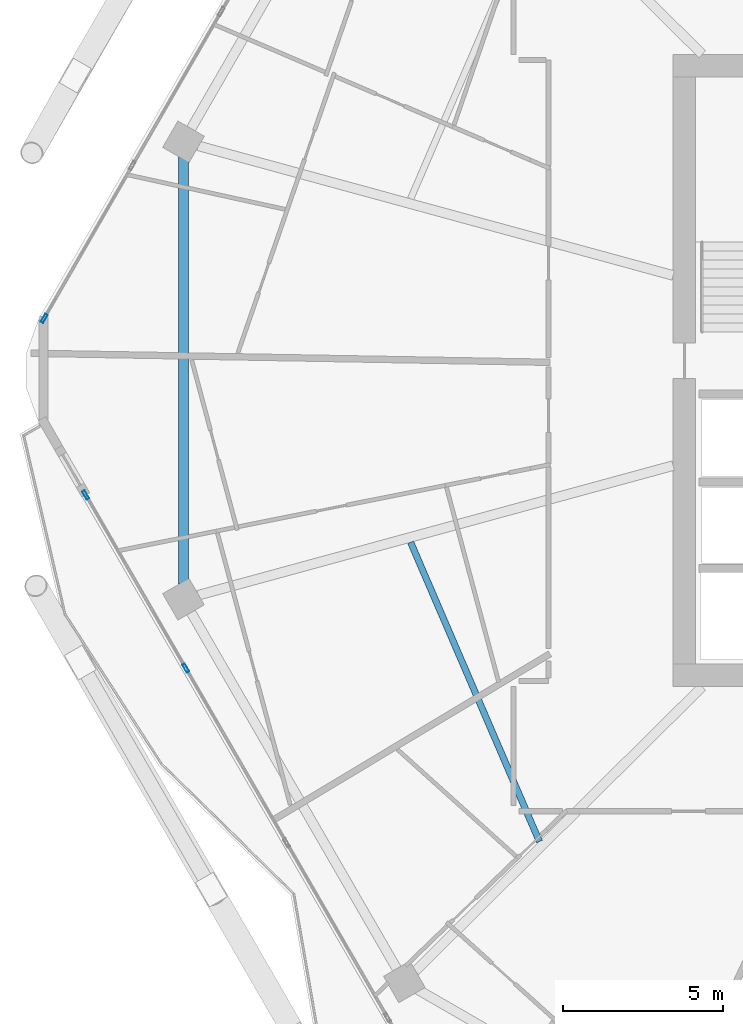
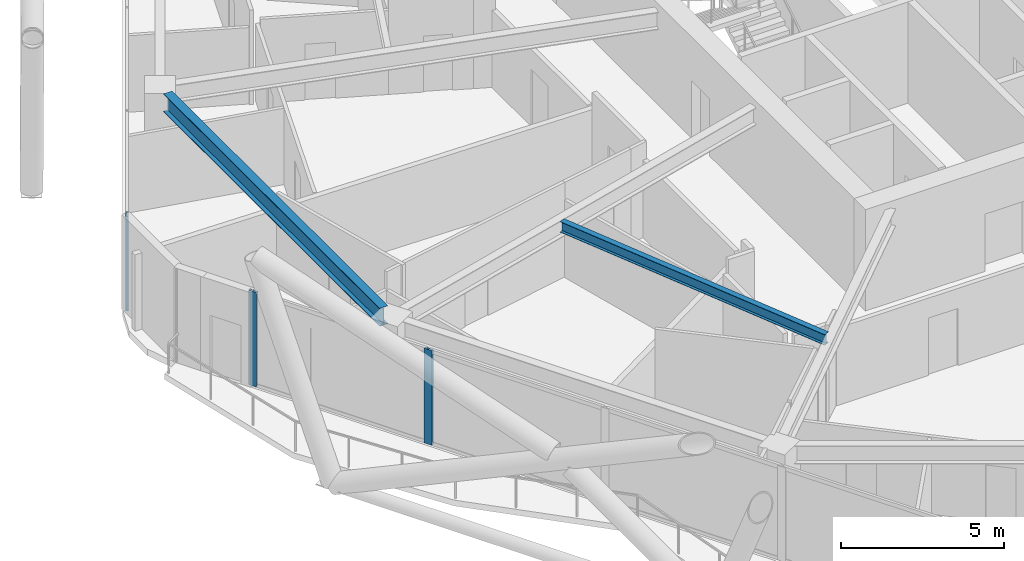
# One storey, part 5 of 27: 3 members, 2 beams, 2 elements without a shape of their own.
"""IFC4 building model written with IfcOpenShell, lengths in metres."""

from ifc_helpers import new_model, si_unit, direction, frame, origin, origin_2d, place, context, subcontext, project, spatial, hollow_rectangle, i_section, extrude, material, material_profile, profile_set, type_object, element, aggregate, save


model = new_model("IFC4")

# Units and contexts
model_context = context("Model", 3, precision=1e-05, world=origin(), true_north=direction((0.0, 1.0)))
body_context = subcontext(model_context, "Body", "Model", "MODEL_VIEW")
ifc_project = project(units=[si_unit("LENGTHUNIT", "METRE"), si_unit("AREAUNIT", "SQUARE_METRE"), si_unit("VOLUMEUNIT", "CUBIC_METRE"), si_unit("PLANEANGLEUNIT", "RADIAN"), si_unit("MASSUNIT", "GRAM", prefix="KILO")], contexts=[model_context])

# Site, building, storey
site_placement = place(None, origin())
site = spatial("IfcSite", under=ifc_project, at=site_placement, CompositionType="ELEMENT")
building_placement = place(site_placement, origin())
building = spatial("IfcBuilding", under=site, at=building_placement, Name="Zuhravey Tower", CompositionType="ELEMENT")
storey_placement = place(building_placement, frame((0.0, 0.0, 215.0)))
storey = spatial("IfcBuildingStorey", under=building, at=storey_placement, Name="L54", CompositionType="ELEMENT", Elevation=215.0)

# Curtain wall, members
ifc_material_1 = material(Name="Thermally broken anodised aluminium", Category="aluminium")
curtain_wall_type = type_object("IfcCurtainWallType", Name="Zone 1-2 Residential Curtain Wall CW3", PredefinedType="NOTDEFINED", material=ifc_material_1)
curtain_wall_1_placement = place(storey_placement, origin())
curtain_wall_1 = element("IfcCurtainWall", 1, at=curtain_wall_1_placement, inside=storey, type_object=curtain_wall_type, Name="L54 CW3 CW-L54-F4-1", PredefinedType="NOTDEFINED")
ifc_material_2 = material(Name="Anodised aluminium", Category="aluminium")
ifc_material_profile_1 = material_profile(ifc_material_2, hollow_rectangle(XDim=0.090087890625, YDim=0.284912109375, WallThickness=0.0048828125, at=origin_2d()), Name="ALU-RHS-90x285x5")
ifc_profile_set_1 = profile_set([ifc_material_profile_1], Name="Anodised aluminium")
member_type = type_object("IfcMemberType", Name="Curtain-Wall Mullion 90x180", PredefinedType="MULLION", material=ifc_profile_set_1)
member_1_placement = place(storey_placement, frame((9.966064453125, 22.725830078125, 0.0), z_axis=(0.0, 0.0, 1.0), x_axis=(-0.866024349586, -0.50000182592, 0.0)))
member_1 = element("IfcMember", 2, at=member_1_placement, type_object=member_type, Name="CW3 mullion 4", PredefinedType="MULLION", context=body_context, shape_type="SweptSolid", body=[
    extrude(hollow_rectangle(XDim=0.090087890625, YDim=0.284912109375, WallThickness=0.0048828125, at=origin_2d()), origin(), (0.0, 0.0, 1.0), 3.550048828125),
])
member_2_placement = place(storey_placement, frame((6.847412109375, 28.12744140625, 0.0), z_axis=(0.0, 0.0, 1.0), x_axis=(-0.866024349586, -0.50000182592, 0.0)))
member_2 = element("IfcMember", 3, at=member_2_placement, type_object=member_type, Name="CW3 mullion 5", PredefinedType="MULLION", context=body_context, shape_type="SweptSolid", body=[
    extrude(hollow_rectangle(XDim=0.090087890625, YDim=0.284912109375, WallThickness=0.0048828125, at=origin_2d()), origin(), (0.0, 0.0, 1.0), 3.550048828125),
])
aggregate(curtain_wall_1, [member_1, member_2])

# Curtain wall, member
curtain_wall_2_placement = place(storey_placement, origin())
curtain_wall_2 = element("IfcCurtainWall", 4, at=curtain_wall_2_placement, inside=storey, type_object=curtain_wall_type, Name="L54 CW3 CW-L54-F3-1", PredefinedType="NOTDEFINED")
member_3_placement = place(storey_placement, frame((5.55078125, 33.62646484375, 0.0), z_axis=(0.0, 0.0, 1.0), x_axis=(-0.866025138215, 0.500000459979, 0.0)))
member_3 = element("IfcMember", 5, at=member_3_placement, type_object=member_type, Name="CW3 mullion 1", PredefinedType="MULLION", context=body_context, shape_type="SweptSolid", body=[
    extrude(hollow_rectangle(XDim=0.090087890625, YDim=0.284912109375, WallThickness=0.0048828125, at=origin_2d()), origin(), (0.0, 0.0, 1.0), 3.550048828125),
])
aggregate(curtain_wall_2, [member_3])

# Beams
ifc_material_3 = material(Name="Steel SM355", Category="steel")
ifc_material_profile_2 = material_profile(ifc_material_3, i_section(OverallWidth=0.300048828125, OverallDepth=0.679931640625, WebThickness=0.012939453125, FlangeThickness=0.02197265625, at=origin_2d()), Name="H-680x300x13x22")
ifc_profile_set_2 = profile_set([ifc_material_profile_2], Name="Steel SM355")
beam_type_1 = type_object("IfcBeamType", Name="Perimeter Ring Beam H680x300", PredefinedType="BEAM", material=ifc_profile_set_2)
beam_1_placement = place(storey_placement, frame((9.892333984375, 38.6484375, 3.2099609375), z_axis=(0.0, -1.0, 0.0), x_axis=(1.0, 0.0, 0.0)))
element("IfcBeam", 6, at=beam_1_placement, inside=storey, type_object=beam_type_1, Name="L54 PB2 BM-L54-PB-06", PredefinedType="BEAM", context=body_context, shape_type="SweptSolid", body=[
    extrude(i_section(OverallWidth=0.300048828125, OverallDepth=0.679931640625, WebThickness=0.012939453125, FlangeThickness=0.02197265625, at=origin_2d()), origin(), (0.0, 0.0, 1.0), 13.296875),
])
ifc_material_profile_3 = material_profile(ifc_material_3, i_section(OverallWidth=0.199951171875, OverallDepth=0.39990234375, WebThickness=0.008056640625, FlangeThickness=0.012939453125, at=origin_2d()), Name="H-400x200x8x13")
ifc_profile_set_3 = profile_set([ifc_material_profile_3], Name="Steel SM355")
beam_type_2 = type_object("IfcBeamType", Name="Secondary Floor Joist H400x200", PredefinedType="JOIST", material=ifc_profile_set_3)
beam_2_placement = place(storey_placement, frame((16.970458984375, 26.6474609375, 3.35009765625), z_axis=(0.395265853487, -0.918566766799, 0.0), x_axis=(0.918566766799, 0.395265853487, 0.0)))
element("IfcBeam", 7, at=beam_2_placement, inside=storey, type_object=beam_type_2, Name="L54 SJ2 BM-L54-SJ-07-1", PredefinedType="JOIST", context=body_context, shape_type="SweptSolid", body=[
    extrude(i_section(OverallWidth=0.199951171875, OverallDepth=0.39990234375, WebThickness=0.008056640625, FlangeThickness=0.012939453125, at=origin_2d()), origin(), (0.0, 0.0, 1.0), 10.150146484375),
])

save(model, "model.ifc")
